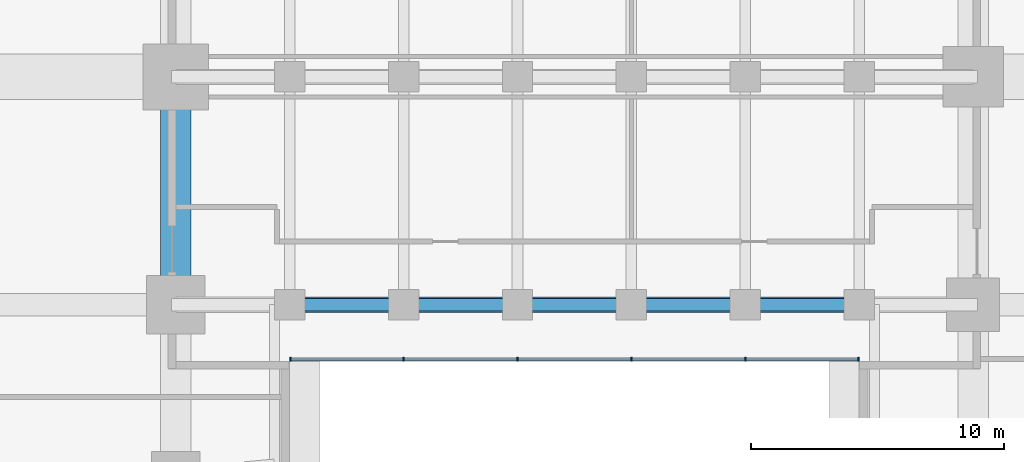
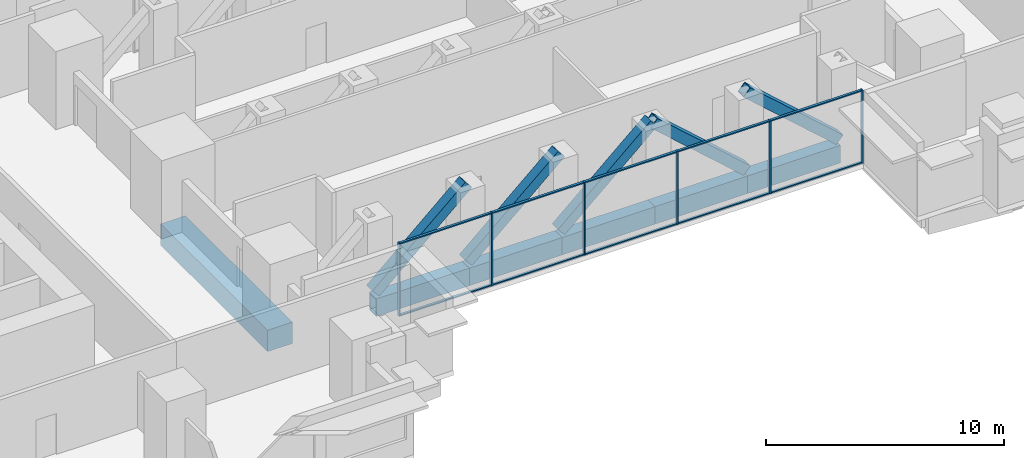
# One storey, part 2 of 16: 21 members, 6 beams, 1 element without a shape of its own.
"""IFC4 building model written with IfcOpenShell, lengths in metres."""

from ifc_helpers import new_model, si_unit, direction, frame, origin, origin_2d, place, context, subcontext, project, spatial, rectangle, hollow_rectangle, extrude, material, layer, layer_set, material_profile, profile_set, type_object, element, aggregate, save


model = new_model("IFC4")

# Units and contexts
model_context = context("Model", 3, precision=1e-05, world=origin(), true_north=direction((0.0, 1.0)))
body_context = subcontext(model_context, "Body", "Model", "MODEL_VIEW")
ifc_project = project(units=[si_unit("LENGTHUNIT", "METRE"), si_unit("AREAUNIT", "SQUARE_METRE"), si_unit("VOLUMEUNIT", "CUBIC_METRE"), si_unit("PLANEANGLEUNIT", "RADIAN"), si_unit("MASSUNIT", "GRAM", prefix="KILO")], contexts=[model_context])

# Site, building, storey
site_placement = place(None, origin())
site = spatial("IfcSite", under=ifc_project, at=site_placement, CompositionType="ELEMENT")
building_placement = place(site_placement, origin())
building = spatial("IfcBuilding", under=site, at=building_placement, Name="Namib Vertical Campus", CompositionType="ELEMENT")
storey_placement = place(building_placement, frame((0.0, 0.0, 129.0)))
storey = spatial("IfcBuildingStorey", under=building, at=storey_placement, Name="L30", CompositionType="ELEMENT", Elevation=129.0)

# Members
ifc_material_1 = material(Name="Steel S355JR", Category="steel")
ifc_material_profile_1 = material_profile(ifc_material_1, hollow_rectangle(XDim=0.5, YDim=0.5, WallThickness=0.031982421875, at=origin_2d()))
ifc_profile_set_1 = profile_set([ifc_material_profile_1], Name="Steel S355JR")
member_type_1 = type_object("IfcMemberType", Name="Bridge end brace WB 500x500x32", PredefinedType="BRACE", material=ifc_profile_set_1)
for number, where, z_axis, x_axis, name in (
    (1, (40.5, 11.25, 0.0), (0.747409318684, 0.0, 0.66436383883), (0.0, 1.0, 0.0), "Bridge brace BX1 L30 T1 bay 2"),
    (2, (45.0, 11.25, 0.0), (0.747409318684, 0.0, 0.66436383883), (0.0, 1.0, 0.0), "Bridge brace BX1 L30 T1 bay 3"),
    (3, (49.5, 11.25, 0.0), (0.747409318684, 0.0, 0.66436383883), (0.0, 1.0, 0.0), "Bridge brace BX1 L30 T1 bay 4"),
    (4, (58.5, 11.25, 0.0), (-0.747409318684, 0.0, 0.66436383883), (0.0, -1.0, 0.0), "Bridge brace BX1 L30 T1 bay 5"),
    (5, (63.0, 11.25, 0.0), (-0.747409318684, 0.0, 0.66436383883), (0.0, -1.0, 0.0), "Bridge brace BX1 L30 T1 bay 6"),
):
    element("IfcMember", number, at=place(storey_placement, frame(where, z_axis=z_axis, x_axis=x_axis)), inside=storey, type_object=member_type_1, Name=name, PredefinedType="BRACE", context=body_context, shape_type="SweptSolid", body=[
        extrude(hollow_rectangle(XDim=0.5, YDim=0.5, WallThickness=0.031982421875, at=origin_2d()), origin(), (0.0, 0.0, 1.0), 6.020751953125),
    ])

# Beams
ifc_material_2 = material(Name="Steel S355JR", Category="steel")
ifc_material_profile_2 = material_profile(ifc_material_2, hollow_rectangle(XDim=0.60009765625, YDim=0.89990234375, WallThickness=0.050048828125, at=origin_2d()))
ifc_profile_set_2 = profile_set([ifc_material_profile_2], Name="Steel S355JR")
beam_type_1 = type_object("IfcBeamType", Name="Bridge girder WB 900x600x50", PredefinedType="BEAM", material=ifc_profile_set_2)
for number, where, z_axis, x_axis, name in (
    (6, (40.5, 11.25, -0.699951171875), (1.0, 0.0, 0.0), (0.0, 1.0, 0.0), "Bridge girder BG1 L30"),
    (7, (45.0, 11.25, -0.699951171875), (1.0, 0.0, 0.0), (0.0, 1.0, 0.0), "Bridge girder BG1 L30"),
    (8, (49.5, 11.25, -0.699951171875), (1.0, 0.0, 0.0), (0.0, 1.0, 0.0), "Bridge girder BG1 L30"),
    (9, (54.0, 11.25, -0.699951171875), (1.0, 0.0, 0.0), (0.0, 1.0, 0.0), "Bridge girder BG1 L30"),
    (10, (58.5, 11.25, -0.699951171875), (1.0, 0.0, 0.0), (0.0, 1.0, 0.0), "Bridge girder BG1 L30"),
):
    element("IfcBeam", number, at=place(storey_placement, frame(where, z_axis=z_axis, x_axis=x_axis)), inside=storey, type_object=beam_type_1, Name=name, PredefinedType="BEAM", context=body_context, shape_type="SweptSolid", body=[
        extrude(hollow_rectangle(XDim=0.60009765625, YDim=0.89990234375, WallThickness=0.050048828125, at=origin_2d()), origin(), (0.0, 0.0, 1.0), 4.5),
    ])

# Curtain wall, members
ifc_material_3 = material(Name="Black aluminium curtain wall", Category="aluminium")
ifc_layer = layer(ifc_material_3, 0.199951171875)
ifc_layer_set = layer_set([ifc_layer], Name="Bridge curtain wall CW-BR")
curtain_wall_type = type_object("IfcCurtainWallType", Name="Bridge curtain wall CW-BR", PredefinedType="USERDEFINED", material=ifc_layer_set)
curtain_wall_placement = place(storey_placement, origin())
curtain_wall = element("IfcCurtainWall", 11, at=curtain_wall_placement, inside=storey, type_object=curtain_wall_type, Name="Curtain wall CW-BR L30 S", ObjectType="CURTAIN WALL", PredefinedType="USERDEFINED")
ifc_material_4 = material(Name="Black anodised aluminium", Category="aluminium")
ifc_material_profile_3 = material_profile(ifc_material_4, rectangle(XDim=0.06005859375, YDim=0.159912109375, at=origin_2d()))
ifc_profile_set_3 = profile_set([ifc_material_profile_3], Name="Black anodised aluminium")
member_type_2 = type_object("IfcMemberType", Name="Curtain wall mullion 60x160", PredefinedType="MULLION", material=ifc_profile_set_3)
member_1_placement = place(storey_placement, frame((40.530029296875, 9.10009765625, 0.0), z_axis=(0.0, 0.0, 1.0), x_axis=(1.0, 0.0, 0.0)))
member_1 = element("IfcMember", 12, at=member_1_placement, type_object=member_type_2, Name="CW-BR mullion 1", PredefinedType="MULLION", context=body_context, shape_type="SweptSolid", body=[
    extrude(rectangle(XDim=0.06005859375, YDim=0.159912109375, at=origin_2d()), origin(), (0.0, 0.0, 1.0), 3.75),
])
member_2_placement = place(storey_placement, frame((45.0, 9.10009765625, 0.0), z_axis=(0.0, 0.0, 1.0), x_axis=(1.0, 0.0, 0.0)))
member_2 = element("IfcMember", 13, at=member_2_placement, type_object=member_type_2, Name="CW-BR mullion 2", PredefinedType="MULLION", context=body_context, shape_type="SweptSolid", body=[
    extrude(rectangle(XDim=0.06005859375, YDim=0.159912109375, at=origin_2d()), origin(), (0.0, 0.0, 1.0), 3.75),
])
member_3_placement = place(storey_placement, frame((49.5, 9.10009765625, 0.0), z_axis=(0.0, 0.0, 1.0), x_axis=(1.0, 0.0, 0.0)))
member_3 = element("IfcMember", 14, at=member_3_placement, type_object=member_type_2, Name="CW-BR mullion 3", PredefinedType="MULLION", context=body_context, shape_type="SweptSolid", body=[
    extrude(rectangle(XDim=0.06005859375, YDim=0.159912109375, at=origin_2d()), origin(), (0.0, 0.0, 1.0), 3.75),
])
member_4_placement = place(storey_placement, frame((54.0, 9.10009765625, 0.0), z_axis=(0.0, 0.0, 1.0), x_axis=(1.0, 0.0, 0.0)))
member_4 = element("IfcMember", 15, at=member_4_placement, type_object=member_type_2, Name="CW-BR mullion 4", PredefinedType="MULLION", context=body_context, shape_type="SweptSolid", body=[
    extrude(rectangle(XDim=0.06005859375, YDim=0.159912109375, at=origin_2d()), origin(), (0.0, 0.0, 1.0), 3.75),
])
member_5_placement = place(storey_placement, frame((58.5, 9.10009765625, 0.0), z_axis=(0.0, 0.0, 1.0), x_axis=(1.0, 0.0, 0.0)))
member_5 = element("IfcMember", 16, at=member_5_placement, type_object=member_type_2, Name="CW-BR mullion 5", PredefinedType="MULLION", context=body_context, shape_type="SweptSolid", body=[
    extrude(rectangle(XDim=0.06005859375, YDim=0.159912109375, at=origin_2d()), origin(), (0.0, 0.0, 1.0), 3.75),
])
member_6_placement = place(storey_placement, frame((62.969970703125, 9.10009765625, 0.0), z_axis=(0.0, 0.0, 1.0), x_axis=(1.0, 0.0, 0.0)))
member_6 = element("IfcMember", 17, at=member_6_placement, type_object=member_type_2, Name="CW-BR mullion 6", PredefinedType="MULLION", context=body_context, shape_type="SweptSolid", body=[
    extrude(rectangle(XDim=0.06005859375, YDim=0.159912109375, at=origin_2d()), origin(), (0.0, 0.0, 1.0), 3.75),
])
ifc_material_5 = material(Name="Black anodised aluminium", Category="aluminium")
ifc_material_profile_4 = material_profile(ifc_material_5, rectangle(XDim=0.06005859375, YDim=0.1201171875, at=origin_2d()))
ifc_profile_set_4 = profile_set([ifc_material_profile_4], Name="Black anodised aluminium")
member_type_3 = type_object("IfcMemberType", Name="Curtain wall transom 60x120", PredefinedType="USERDEFINED", material=ifc_profile_set_4)
member_7_placement = place(storey_placement, frame((40.56005859375, 9.10009765625, 0.030029296875), z_axis=(1.0, 0.0, 0.0), x_axis=(0.0, 0.0, 1.0)))
member_7 = element("IfcMember", 18, at=member_7_placement, type_object=member_type_3, Name="CW-BR transom 1.1", ObjectType="TRANSOM", PredefinedType="USERDEFINED", context=body_context, shape_type="SweptSolid", body=[
    extrude(rectangle(XDim=0.06005859375, YDim=0.1201171875, at=origin_2d()), origin(), (0.0, 0.0, 1.0), 4.409912109375),
])
member_8_placement = place(storey_placement, frame((40.56005859375, 9.10009765625, 3.719970703125), z_axis=(1.0, 0.0, 0.0), x_axis=(0.0, 0.0, 1.0)))
member_8 = element("IfcMember", 19, at=member_8_placement, type_object=member_type_3, Name="CW-BR transom 1.2", ObjectType="TRANSOM", PredefinedType="USERDEFINED", context=body_context, shape_type="SweptSolid", body=[
    extrude(rectangle(XDim=0.06005859375, YDim=0.1201171875, at=origin_2d()), origin(), (0.0, 0.0, 1.0), 4.409912109375),
])
member_9_placement = place(storey_placement, frame((45.030029296875, 9.10009765625, 0.030029296875), z_axis=(1.0, 0.0, 0.0), x_axis=(0.0, 0.0, 1.0)))
member_9 = element("IfcMember", 20, at=member_9_placement, type_object=member_type_3, Name="CW-BR transom 2.1", ObjectType="TRANSOM", PredefinedType="USERDEFINED", context=body_context, shape_type="SweptSolid", body=[
    extrude(rectangle(XDim=0.06005859375, YDim=0.1201171875, at=origin_2d()), origin(), (0.0, 0.0, 1.0), 4.43994140625),
])
member_10_placement = place(storey_placement, frame((45.030029296875, 9.10009765625, 3.719970703125), z_axis=(1.0, 0.0, 0.0), x_axis=(0.0, 0.0, 1.0)))
member_10 = element("IfcMember", 21, at=member_10_placement, type_object=member_type_3, Name="CW-BR transom 2.2", ObjectType="TRANSOM", PredefinedType="USERDEFINED", context=body_context, shape_type="SweptSolid", body=[
    extrude(rectangle(XDim=0.06005859375, YDim=0.1201171875, at=origin_2d()), origin(), (0.0, 0.0, 1.0), 4.43994140625),
])
member_11_placement = place(storey_placement, frame((49.530029296875, 9.10009765625, 0.030029296875), z_axis=(1.0, 0.0, 0.0), x_axis=(0.0, 0.0, 1.0)))
member_11 = element("IfcMember", 22, at=member_11_placement, type_object=member_type_3, Name="CW-BR transom 3.1", ObjectType="TRANSOM", PredefinedType="USERDEFINED", context=body_context, shape_type="SweptSolid", body=[
    extrude(rectangle(XDim=0.06005859375, YDim=0.1201171875, at=origin_2d()), origin(), (0.0, 0.0, 1.0), 4.43994140625),
])
member_12_placement = place(storey_placement, frame((49.530029296875, 9.10009765625, 3.719970703125), z_axis=(1.0, 0.0, 0.0), x_axis=(0.0, 0.0, 1.0)))
member_12 = element("IfcMember", 23, at=member_12_placement, type_object=member_type_3, Name="CW-BR transom 3.2", ObjectType="TRANSOM", PredefinedType="USERDEFINED", context=body_context, shape_type="SweptSolid", body=[
    extrude(rectangle(XDim=0.06005859375, YDim=0.1201171875, at=origin_2d()), origin(), (0.0, 0.0, 1.0), 4.43994140625),
])
member_13_placement = place(storey_placement, frame((54.030029296875, 9.10009765625, 0.030029296875), z_axis=(1.0, 0.0, 0.0), x_axis=(0.0, 0.0, 1.0)))
member_13 = element("IfcMember", 24, at=member_13_placement, type_object=member_type_3, Name="CW-BR transom 4.1", ObjectType="TRANSOM", PredefinedType="USERDEFINED", context=body_context, shape_type="SweptSolid", body=[
    extrude(rectangle(XDim=0.06005859375, YDim=0.1201171875, at=origin_2d()), origin(), (0.0, 0.0, 1.0), 4.43994140625),
])
member_14_placement = place(storey_placement, frame((54.030029296875, 9.10009765625, 3.719970703125), z_axis=(1.0, 0.0, 0.0), x_axis=(0.0, 0.0, 1.0)))
member_14 = element("IfcMember", 25, at=member_14_placement, type_object=member_type_3, Name="CW-BR transom 4.2", ObjectType="TRANSOM", PredefinedType="USERDEFINED", context=body_context, shape_type="SweptSolid", body=[
    extrude(rectangle(XDim=0.06005859375, YDim=0.1201171875, at=origin_2d()), origin(), (0.0, 0.0, 1.0), 4.43994140625),
])
member_15_placement = place(storey_placement, frame((58.530029296875, 9.10009765625, 0.030029296875), z_axis=(1.0, 0.0, 0.0), x_axis=(0.0, 0.0, 1.0)))
member_15 = element("IfcMember", 26, at=member_15_placement, type_object=member_type_3, Name="CW-BR transom 5.1", ObjectType="TRANSOM", PredefinedType="USERDEFINED", context=body_context, shape_type="SweptSolid", body=[
    extrude(rectangle(XDim=0.06005859375, YDim=0.1201171875, at=origin_2d()), origin(), (0.0, 0.0, 1.0), 4.409912109375),
])
member_16_placement = place(storey_placement, frame((58.530029296875, 9.10009765625, 3.719970703125), z_axis=(1.0, 0.0, 0.0), x_axis=(0.0, 0.0, 1.0)))
member_16 = element("IfcMember", 27, at=member_16_placement, type_object=member_type_3, Name="CW-BR transom 5.2", ObjectType="TRANSOM", PredefinedType="USERDEFINED", context=body_context, shape_type="SweptSolid", body=[
    extrude(rectangle(XDim=0.06005859375, YDim=0.1201171875, at=origin_2d()), origin(), (0.0, 0.0, 1.0), 4.409912109375),
])
aggregate(curtain_wall, [member_1, member_2, member_3, member_4, member_5, member_6, member_7, member_8, member_9, member_10, member_11, member_12, member_13, member_14, member_15, member_16])

# Beam
ifc_material_6 = material(Name="Concrete C40/50", Category="concrete")
ifc_material_profile_5 = material_profile(ifc_material_6, rectangle(XDim=1.199951171875, YDim=1.10009765625, at=origin_2d()))
ifc_profile_set_5 = profile_set([ifc_material_profile_5], Name="Concrete C40/50")
beam_type_2 = type_object("IfcBeamType", Name="Face ring beam RC 1200x1100", PredefinedType="BEAM", material=ifc_profile_set_5)
beam_placement = place(storey_placement, frame((36.0, 11.25, -0.800048828125), z_axis=(0.0, 1.0, 0.0), x_axis=(-1.0, 0.0, 0.0)))
element("IfcBeam", 28, at=beam_placement, inside=storey, type_object=beam_type_2, Name="Beam B11 L30", PredefinedType="BEAM", context=body_context, shape_type="SweptSolid", body=[
    extrude(rectangle(XDim=1.199951171875, YDim=1.10009765625, at=origin_2d()), origin(), (0.0, 0.0, 1.0), 9.0),
])

save(model, "model.ifc")
